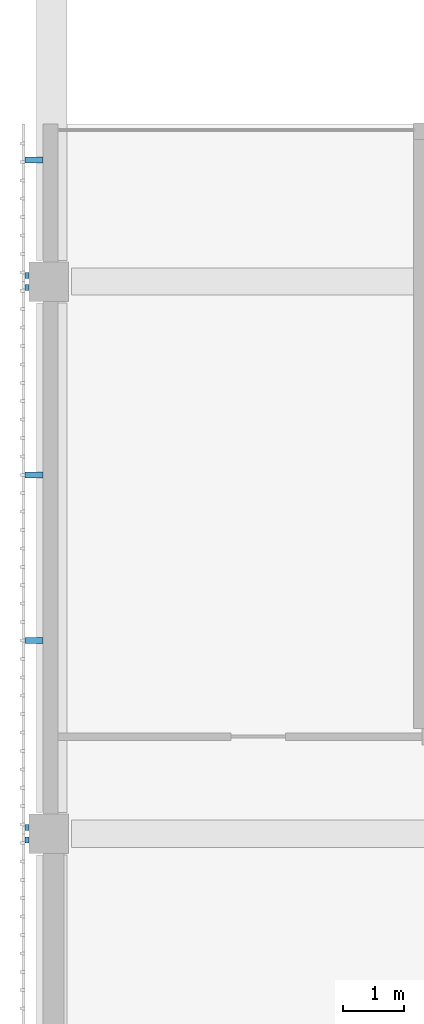
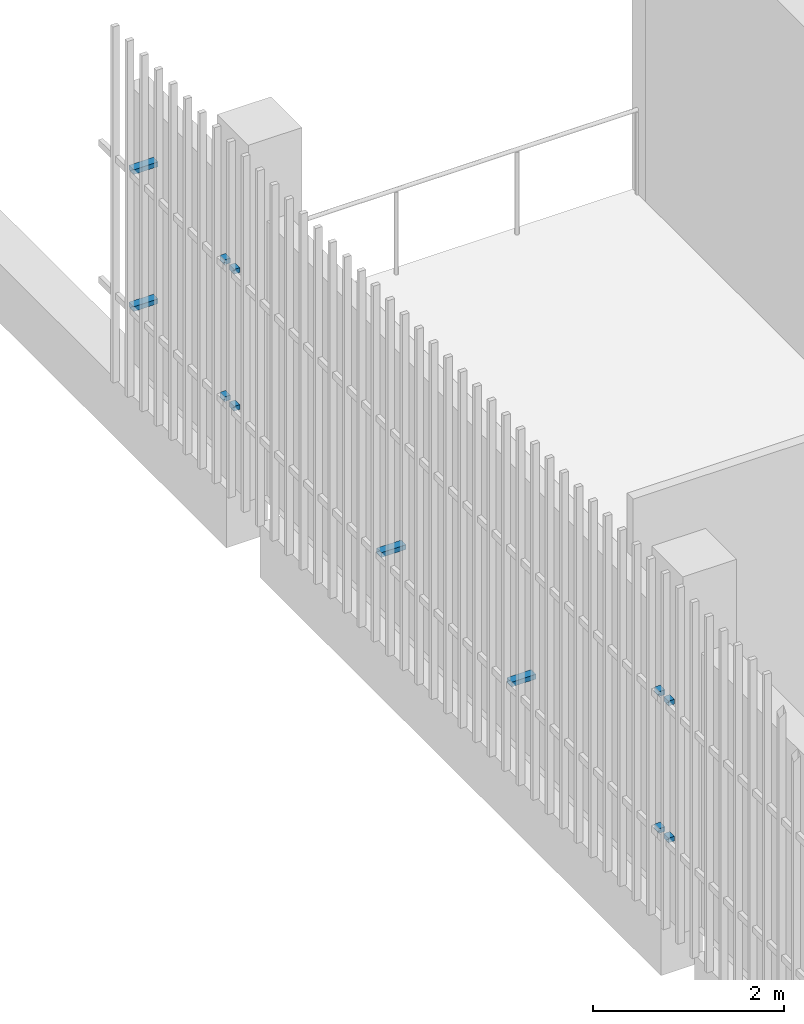
# One storey, part 74 of 104: 12 discrete accessories.
"""IFC4 building model written with IfcOpenShell, lengths in metres."""

from ifc_helpers import new_model, si_unit, direction, frame, origin, origin_2d, place, context, subcontext, project, spatial, rectangle, extrude, material, type_object, element, save


model = new_model("IFC4")

# Units and contexts
model_context = context("Model", 3, precision=1e-05, world=origin(), true_north=direction((0.0, 1.0)))
body_context = subcontext(model_context, "Body", "Model", "MODEL_VIEW")
ifc_project = project(units=[si_unit("LENGTHUNIT", "METRE"), si_unit("AREAUNIT", "SQUARE_METRE"), si_unit("VOLUMEUNIT", "CUBIC_METRE"), si_unit("PLANEANGLEUNIT", "RADIAN"), si_unit("MASSUNIT", "GRAM", prefix="KILO")], contexts=[model_context])

# Site, building, storey
site_placement = place(None, origin())
site = spatial("IfcSite", under=ifc_project, at=site_placement, CompositionType="ELEMENT")
building_placement = place(site_placement, origin())
building = spatial("IfcBuilding", under=site, at=building_placement, Name="Shirokan Park Arena", CompositionType="ELEMENT")
storey_placement = place(building_placement, frame((0.0, 0.0, 10.919921875)))
storey = spatial("IfcBuildingStorey", under=building, at=storey_placement, Name="L02", CompositionType="ELEMENT", Elevation=10.919921875)

# Discrete accessories
ifc_material = material(Name="Steel S355", Category="steel")
discrete_accessory_type = type_object("IfcDiscreteAccessoryType", Name="Veil bracket 100x60", PredefinedType="BRACKET", material=ifc_material)
discrete_accessory_1_placement = place(storey_placement, frame((-0.297607421875, 29.300048828125, 1.070068359375), z_axis=(0.0, 0.0, 1.0), x_axis=(0.0, -1.0, 0.0)))
element("IfcDiscreteAccessory", 1, at=discrete_accessory_1_placement, inside=storey, type_object=discrete_accessory_type, Name="Veil bracket west bay 9 L02 1", PredefinedType="BRACKET", context=body_context, shape_type="SweptSolid", body=[
    extrude(rectangle(XDim=0.10009765625, YDim=0.294921875, at=origin_2d()), origin(), (0.0, 0.0, 1.0), 0.06005859375),
])
discrete_accessory_2_placement = place(storey_placement, frame((-0.409912109375, 27.39990234375, 1.070068359375), z_axis=(0.0, 0.0, 1.0), x_axis=(0.0, -1.0, 0.0)))
element("IfcDiscreteAccessory", 2, at=discrete_accessory_2_placement, inside=storey, type_object=discrete_accessory_type, Name="Veil bracket west bay 9 L02 2", PredefinedType="BRACKET", context=body_context, shape_type="SweptSolid", body=[
    extrude(rectangle(XDim=0.10009765625, YDim=0.070068359375, at=origin_2d()), origin(), (0.0, 0.0, 1.0), 0.06005859375),
])
discrete_accessory_3_placement = place(storey_placement, frame((-0.297607421875, 29.300048828125, 2.820068359375), z_axis=(0.0, 0.0, 1.0), x_axis=(0.0, -1.0, 0.0)))
element("IfcDiscreteAccessory", 3, at=discrete_accessory_3_placement, inside=storey, type_object=discrete_accessory_type, Name="Veil bracket west bay 9 L02 3", PredefinedType="BRACKET", context=body_context, shape_type="SweptSolid", body=[
    extrude(rectangle(XDim=0.10009765625, YDim=0.294921875, at=origin_2d()), origin(), (0.0, 0.0, 1.0), 0.06005859375),
])
for number, where, z_axis, x_axis, name in (
    (4, (-0.409912109375, 27.39990234375, 2.820068359375), (0.0, 0.0, 1.0), (0.0, -1.0, 0.0), "Veil bracket west bay 9 L02 4"),
    (5, (-0.409912109375, 27.199951171875, 1.070068359375), (0.0, 0.0, 1.0), (0.0, -1.0, 0.0), "Veil bracket west bay 10 L02 1"),
    (6, (-0.409912109375, 18.300048828125, 1.070068359375), (0.0, 0.0, 1.0), (0.0, -1.0, 0.0), "Veil bracket west bay 10 L02 2"),
    (7, (-0.409912109375, 27.199951171875, 2.820068359375), (0.0, 0.0, 1.0), (0.0, -1.0, 0.0), "Veil bracket west bay 10 L02 3"),
    (8, (-0.409912109375, 18.300048828125, 2.820068359375), (0.0, 0.0, 1.0), (0.0, -1.0, 0.0), "Veil bracket west bay 10 L02 4"),
):
    element("IfcDiscreteAccessory", number, at=place(storey_placement, frame(where, z_axis=z_axis, x_axis=x_axis)), inside=storey, type_object=discrete_accessory_type, Name=name, PredefinedType="BRACKET", context=body_context, shape_type="SweptSolid", body=[
        extrude(rectangle(XDim=0.10009765625, YDim=0.070068359375, at=origin_2d()), origin(), (0.0, 0.0, 1.0), 0.06005859375),
    ])
for number, where, z_axis, x_axis, name in (
    (9, (-0.297607421875, 24.114990234375, 1.070068359375), (0.0, 0.0, 1.0), (0.0, -1.0, 0.0), "Veil bracket west bay 10 L02 wall 1"),
    (10, (-0.297607421875, 21.385009765625, 1.070068359375), (0.0, 0.0, 1.0), (0.0, -1.0, 0.0), "Veil bracket west bay 10 L02 wall 2"),
):
    element("IfcDiscreteAccessory", number, at=place(storey_placement, frame(where, z_axis=z_axis, x_axis=x_axis)), inside=storey, type_object=discrete_accessory_type, Name=name, PredefinedType="BRACKET", context=body_context, shape_type="SweptSolid", body=[
        extrude(rectangle(XDim=0.10009765625, YDim=0.294921875, at=origin_2d()), origin(), (0.0, 0.0, 1.0), 0.06005859375),
    ])
for number, where, z_axis, x_axis, name in (
    (11, (-0.409912109375, 18.10009765625, 1.070068359375), (0.0, 0.0, 1.0), (0.0, -1.0, 0.0), "Veil bracket west bay 11 L02 1"),
    (12, (-0.409912109375, 18.10009765625, 2.820068359375), (0.0, 0.0, 1.0), (0.0, -1.0, 0.0), "Veil bracket west bay 11 L02 3"),
):
    element("IfcDiscreteAccessory", number, at=place(storey_placement, frame(where, z_axis=z_axis, x_axis=x_axis)), inside=storey, type_object=discrete_accessory_type, Name=name, PredefinedType="BRACKET", context=body_context, shape_type="SweptSolid", body=[
        extrude(rectangle(XDim=0.10009765625, YDim=0.070068359375, at=origin_2d()), origin(), (0.0, 0.0, 1.0), 0.06005859375),
    ])

save(model, "model.ifc")
